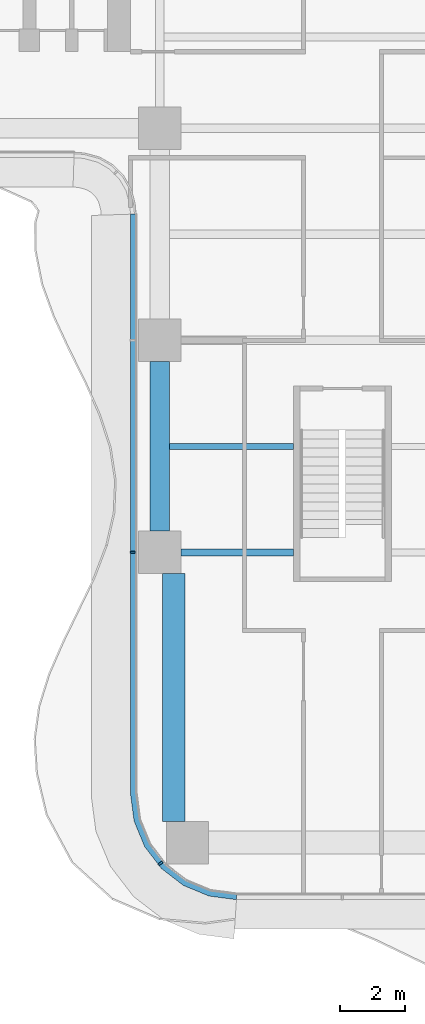
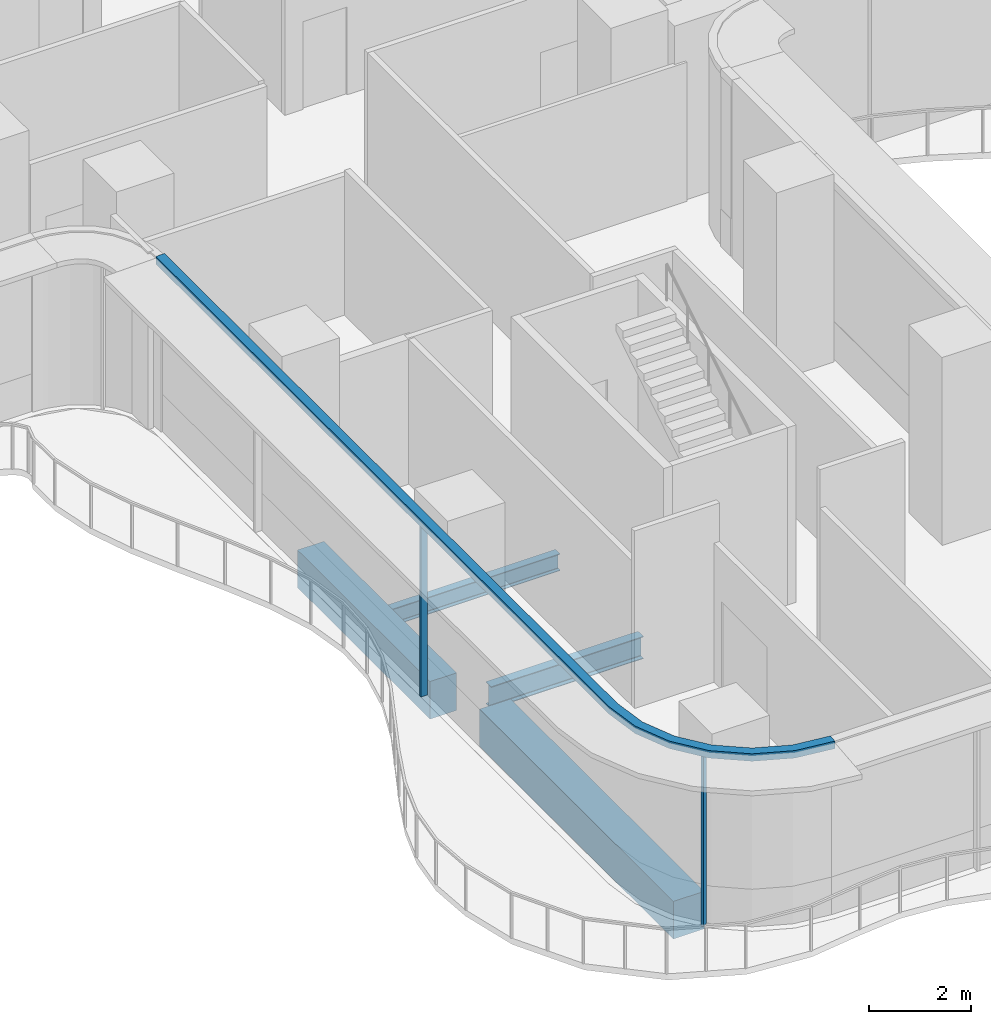
# One storey, part 2 of 23: 4 beams, 3 members, 1 element without a shape of its own.
"""IFC4 building model written with IfcOpenShell, lengths in metres."""

from ifc_helpers import new_model, si_unit, direction, frame, origin, origin_2d, place, context, subcontext, project, spatial, polyline, rectangle, i_section, outline, extrude, source, transform, mapped, material, layer, layer_set, material_profile, profile_set, type_object, element, aggregate, save


model = new_model("IFC4")

# Units and contexts
model_context = context("Model", 3, precision=1e-05, world=origin(), true_north=direction((0.0, 1.0)))
body_context = subcontext(model_context, "Body", "Model", "MODEL_VIEW")
ifc_project = project(units=[si_unit("LENGTHUNIT", "METRE"), si_unit("AREAUNIT", "SQUARE_METRE"), si_unit("VOLUMEUNIT", "CUBIC_METRE"), si_unit("PLANEANGLEUNIT", "RADIAN"), si_unit("MASSUNIT", "GRAM", prefix="KILO")], contexts=[model_context])

# Site, building, storey
site_placement = place(None, origin())
site = spatial("IfcSite", under=ifc_project, at=site_placement, CompositionType="ELEMENT")
building_placement = place(site_placement, origin())
building = spatial("IfcBuilding", under=site, at=building_placement, Name="Trellis Farm Tower", CompositionType="ELEMENT")
storey_placement = place(building_placement, frame((0.0, 0.0, 120.0)))
storey = spatial("IfcBuildingStorey", under=building, at=storey_placement, Name="L25", CompositionType="ELEMENT", Elevation=120.0)

# Beams
ifc_material_1 = material(Name="Steel S355", Category="steel")
ifc_material_profile_1 = material_profile(ifc_material_1, i_section(OverallWidth=0.177978515625, OverallDepth=0.406494140625, WebThickness=0.0078125, FlangeThickness=0.0126953125, FilletRadius=0.01025390625, at=origin_2d()), Name="UB 406x178x60")
ifc_profile_set_1 = profile_set([ifc_material_profile_1], Name="Steel S355")
beam_type_1 = type_object("IfcBeamType", Name="UB 406x178x60 joist", PredefinedType="JOIST", material=ifc_profile_set_1)
shared_shape_1 = source(origin(), body_context, "Body", "SweptSolid", [
    extrude(i_section(OverallWidth=0.177978515625, OverallDepth=0.406494140625, WebThickness=0.0078125, FlangeThickness=0.0126953125, FilletRadius=0.01025390625, at=origin_2d()), origin(), (0.0, 0.0, 1.0), 3.800048828125),
])
beam_1_placement = place(storey_placement, frame((-5.300048828125, -15.35009765625, -0.453125), z_axis=(1.0, 0.0, 0.0), x_axis=(0.0, 1.0, 0.0)))
element("IfcBeam", 1, at=beam_1_placement, inside=storey, type_object=beam_type_1, Name="Floor beam", PredefinedType="JOIST", context=body_context, shape_type="MappedRepresentation", body=[
    mapped(shared_shape_1, transform((0.0, 0.0, 0.0))),
])
ifc_material_profile_2 = material_profile(ifc_material_1, i_section(OverallWidth=0.209228515625, OverallDepth=0.533203125, WebThickness=0.010009765625, FlangeThickness=0.015625, FilletRadius=0.0126953125, at=origin_2d()), Name="UB 533x210x92")
ifc_profile_set_2 = profile_set([ifc_material_profile_2], Name="Steel S355")
beam_type_2 = type_object("IfcBeamType", Name="UB 533x210x92", PredefinedType="BEAM", material=ifc_profile_set_2)
shared_shape_2 = source(origin(), body_context, "Body", "SweptSolid", [
    extrude(i_section(OverallWidth=0.209228515625, OverallDepth=0.533203125, WebThickness=0.010009765625, FlangeThickness=0.015625, FilletRadius=0.0126953125, at=origin_2d()), origin(), (0.0, 0.0, 1.0), 3.449951171875),
])
beam_2_placement = place(storey_placement, frame((-4.949951171875, -18.60009765625, -0.5166015625), z_axis=(1.0, 0.0, 0.0), x_axis=(0.0, 1.0, 0.0)))
element("IfcBeam", 2, at=beam_2_placement, inside=storey, type_object=beam_type_2, Name="Girder", PredefinedType="BEAM", context=body_context, shape_type="MappedRepresentation", body=[
    mapped(shared_shape_2, transform((0.0, 0.0, 0.0))),
])
ifc_material_2 = material(Name="Concrete C60/75", Category="concrete")
ifc_material_profile_3 = material_profile(ifc_material_2, rectangle(XDim=0.60009765625, YDim=0.89990234375, at=origin_2d()), Name="RC spandrel beam 600x900 C60/75")
ifc_profile_set_3 = profile_set([ifc_material_profile_3], Name="Concrete C60/75")
beam_type_3 = type_object("IfcBeamType", Name="RC spandrel beam 600x900 C60/75", PredefinedType="SPANDREL", material=ifc_profile_set_3)
shared_shape_3 = source(origin(), body_context, "Body", "SweptSolid", [
    extrude(rectangle(XDim=0.60009765625, YDim=0.89990234375, at=origin_2d()), origin(), (0.0, 0.0, 1.0), 5.199951171875),
])
beam_3_placement = place(storey_placement, frame((-5.60009765625, -17.949951171875, -0.699951171875), z_axis=(0.0, 1.0, 0.0), x_axis=(-1.0, 0.0, 0.0)))
element("IfcBeam", 3, at=beam_3_placement, inside=storey, type_object=beam_type_3, Name="Girder", PredefinedType="SPANDREL", context=body_context, shape_type="MappedRepresentation", body=[
    mapped(shared_shape_3, transform((0.0, 0.0, 0.0))),
])
ifc_material_profile_4 = material_profile(ifc_material_2, rectangle(XDim=0.699951171875, YDim=0.89990234375, at=origin_2d()), Name="RC spandrel beam 700x900 C60/75")
ifc_profile_set_4 = profile_set([ifc_material_profile_4], Name="Concrete C60/75")
beam_type_4 = type_object("IfcBeamType", Name="RC spandrel beam 700x900 C60/75", PredefinedType="SPANDREL", material=ifc_profile_set_4)
shared_shape_4 = source(origin(), body_context, "Body", "SweptSolid", [
    extrude(rectangle(XDim=0.699951171875, YDim=0.89990234375, at=origin_2d()), origin(), (0.0, 0.0, 1.0), 7.60009765625),
])
beam_4_placement = place(storey_placement, frame((-5.175048828125, -26.85009765625, -0.699951171875), z_axis=(0.0, 1.0, 0.0), x_axis=(-1.0, 0.0, 0.0)))
element("IfcBeam", 4, at=beam_4_placement, inside=storey, type_object=beam_type_4, Name="Girder", PredefinedType="SPANDREL", context=body_context, shape_type="MappedRepresentation", body=[
    mapped(shared_shape_4, transform((0.0, 0.0, 0.0))),
])

# Curtain wall, members
ifc_material_3 = material(Name="Aluminium and glass curtain wall", Category="aluminium")
ifc_layer_1 = layer(ifc_material_3, 0.18994140625)
ifc_layer_set_1 = layer_set([ifc_layer_1], Name="RIBBON CURTAIN WALL CW1")
curtain_wall_type = type_object("IfcCurtainWallType", Name="RIBBON CURTAIN WALL CW1", PredefinedType="NOTDEFINED", material=ifc_layer_set_1)
curtain_wall_placement = place(storey_placement, origin())
curtain_wall = element("IfcCurtainWall", 5, at=curtain_wall_placement, inside=storey, type_object=curtain_wall_type, Name="CW1 002", PredefinedType="NOTDEFINED")
ifc_material_4 = material(Name="Aluminium extrusion 6063-T6", Category="aluminium")
ifc_material_profile_5 = material_profile(ifc_material_4, rectangle(XDim=0.06005859375, YDim=0.14990234375, at=origin_2d()), Name="MULLION 60x150")
ifc_profile_set_5 = profile_set([ifc_material_profile_5], Name="Aluminium extrusion 6063-T6")
member_type_1 = type_object("IfcMemberType", Name="CW1 MULLION 60x150", PredefinedType="MULLION", material=ifc_profile_set_5)
shared_shape_5 = source(origin(), body_context, "Body", "SweptSolid", [
    extrude(rectangle(XDim=0.06005859375, YDim=0.14990234375, at=origin_2d()), origin(), (0.0, 0.0, 1.0), 4.070068359375),
])
member_1_placement = place(storey_placement, frame((-6.425048828125, -18.60009765625, 0.0), z_axis=(0.0, 0.0, 1.0), x_axis=(0.0, -1.0, 0.0)))
member_1 = element("IfcMember", 6, at=member_1_placement, type_object=member_type_1, Name="MU1 002-02", PredefinedType="MULLION", context=body_context, shape_type="MappedRepresentation", body=[
    mapped(shared_shape_5, transform((0.0, 0.0, 0.0))),
])
member_2_placement = place(storey_placement, frame((-5.578369140625, -28.135498046875, 0.0), z_axis=(0.0, 0.0, 1.0), x_axis=(0.608761429009, -0.793353340291, 0.0)))
member_2 = element("IfcMember", 7, at=member_2_placement, type_object=member_type_1, Name="MU1 002-03", PredefinedType="MULLION", context=body_context, shape_type="MappedRepresentation", body=[
    mapped(shared_shape_5, transform((0.0, 0.0, 0.0))),
])
ifc_layer_2 = layer(ifc_material_4, 0.199951171875)
ifc_layer_set_2 = layer_set([ifc_layer_2], Name="Aluminium extrusion 6063-T6")
member_type_2 = type_object("IfcMemberType", Name="CW1 TRANSOM 200x180", PredefinedType="USERDEFINED", material=ifc_layer_set_2)
shared_shape_6 = source(origin(), body_context, "Body", "SweptSolid", [
    extrude(outline(polyline([(-6.5, -8.2314453125), (-6.5, -26.0), (-6.38916015625, -26.841064453125), (-6.064697265625, -27.625), (-5.548095703125, -28.298095703125), (-4.875, -28.814697265625), (-4.091064453125, -29.13916015625), (-3.25, -29.25), (-3.23681640625, -29.050048828125), (-4.0390625, -28.9443359375), (-4.774169921875, -28.639892578125), (-5.405517578125, -28.155517578125), (-5.889892578125, -27.524169921875), (-6.1943359375, -26.7890625), (-6.300048828125, -25.98681640625), (-6.300048828125, -8.224853515625), (-6.5, -8.2314453125)])), origin(), (0.0, 0.0, 1.0), 0.179931640625),
])
member_3_placement = place(storey_placement, frame((0.0, 0.0, 4.070068359375)))
member_3 = element("IfcMember", 8, at=member_3_placement, type_object=member_type_2, Name="TR1 002", ObjectType="TRANSOM", PredefinedType="USERDEFINED", context=body_context, shape_type="MappedRepresentation", body=[
    mapped(shared_shape_6, transform((0.0, 0.0, 0.0))),
])
aggregate(curtain_wall, [member_1, member_2, member_3])

save(model, "model.ifc")
